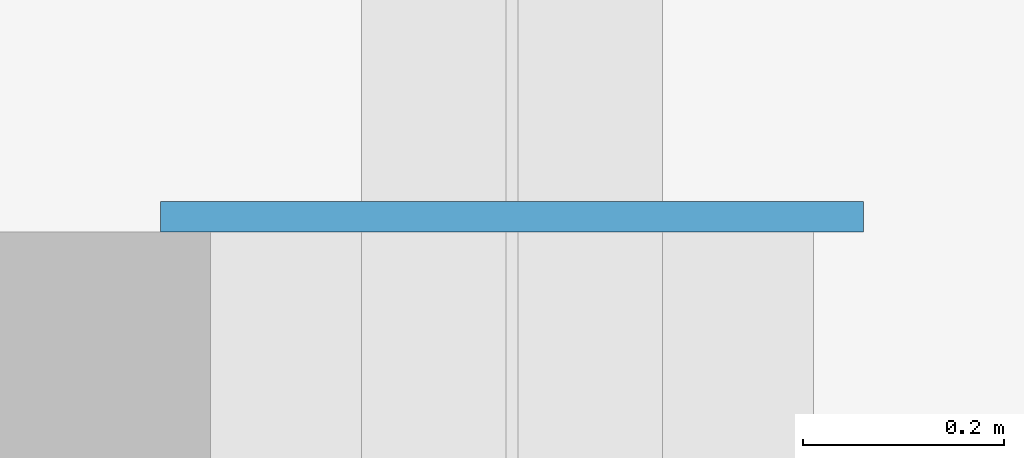
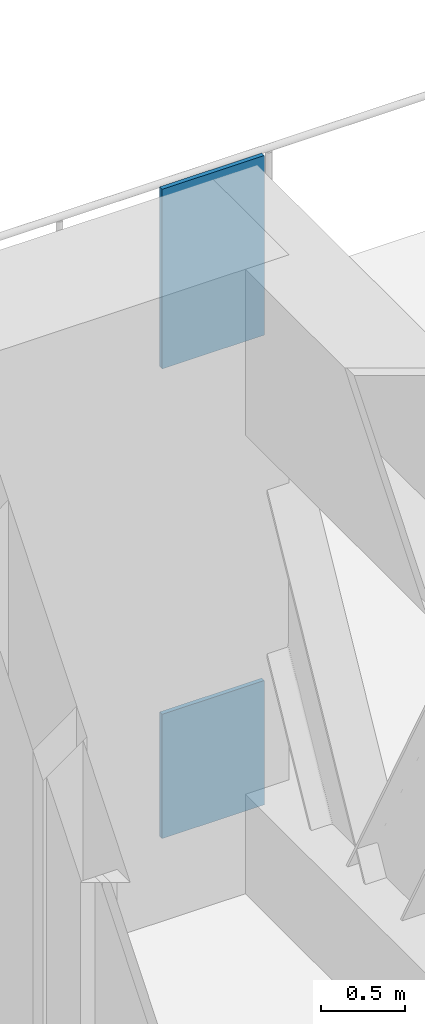
# One storey, part 15 of 20: 2 discrete accessories.
"""IFC4 building model written with IfcOpenShell, lengths in metres."""

from ifc_helpers import new_model, si_unit, direction, frame, origin, origin_2d, place, context, subcontext, project, spatial, rectangle, extrude, material, layer, layer_set, type_object, element, save


model = new_model("IFC4")

# Units and contexts
model_context = context("Model", 3, precision=1e-05, world=origin(), true_north=direction((0.0, 1.0)))
body_context = subcontext(model_context, "Body", "Model", "MODEL_VIEW")
ifc_project = project(units=[si_unit("LENGTHUNIT", "METRE"), si_unit("AREAUNIT", "SQUARE_METRE"), si_unit("VOLUMEUNIT", "CUBIC_METRE"), si_unit("PLANEANGLEUNIT", "RADIAN"), si_unit("MASSUNIT", "GRAM", prefix="KILO")], contexts=[model_context])

# Site, building, storey
site_placement = place(None, origin())
site = spatial("IfcSite", under=ifc_project, at=site_placement, CompositionType="ELEMENT")
building_placement = place(site_placement, origin())
building = spatial("IfcBuilding", under=site, at=building_placement, Name="Hunhe Ridgeline Campus", CompositionType="ELEMENT")
storey_placement = place(building_placement, frame((0.0, 0.0, 178.199951171875)))
storey = spatial("IfcBuildingStorey", under=building, at=storey_placement, Name="L45", CompositionType="ELEMENT", Elevation=178.199951171875)

# Discrete accessories
ifc_material = material(Name="Steel Q420", Category="steel")
ifc_layer_1 = layer(ifc_material, 0.030029296875)
ifc_layer_set_1 = layer_set([ifc_layer_1], Name="Gusset plate 700x1300x30 Steel Q420")
discrete_accessory_type_1 = type_object("IfcDiscreteAccessoryType", Name="Gusset plate 700x1300x30 Steel Q420", PredefinedType="BRACKET", material=ifc_layer_set_1)
discrete_accessory_1_placement = place(storey_placement, frame((54.0, 94.514892578125, 3.35009765625), z_axis=(0.0, 0.0, 1.0), x_axis=(0.0, 1.0, 0.0)))
element("IfcDiscreteAccessory", 1, at=discrete_accessory_1_placement, inside=storey, type_object=discrete_accessory_type_1, Name="Gusset plate BT1 L45 5", PredefinedType="BRACKET", context=body_context, shape_type="SweptSolid", body=[
    extrude(rectangle(XDim=0.030029296875, YDim=0.699951171875, at=origin_2d()), origin(), (0.0, 0.0, 1.0), 1.300048828125),
])
ifc_layer_2 = layer(ifc_material, 0.030029296875)
ifc_layer_set_2 = layer_set([ifc_layer_2], Name="Gusset plate 700x900x30 Steel Q420")
discrete_accessory_type_2 = type_object("IfcDiscreteAccessoryType", Name="Gusset plate 700x900x30 Steel Q420", PredefinedType="BRACKET", material=ifc_layer_set_2)
discrete_accessory_2_placement = place(storey_placement, frame((54.0, 94.514892578125, -0.0498046875), z_axis=(0.0, 0.0, 1.0), x_axis=(0.0, 1.0, 0.0)))
element("IfcDiscreteAccessory", 2, at=discrete_accessory_2_placement, inside=storey, type_object=discrete_accessory_type_2, Name="Gusset plate BT1 L45 6", PredefinedType="BRACKET", context=body_context, shape_type="SweptSolid", body=[
    extrude(rectangle(XDim=0.030029296875, YDim=0.699951171875, at=origin_2d()), origin(), (0.0, 0.0, 1.0), 0.89990234375),
])

save(model, "model.ifc")
